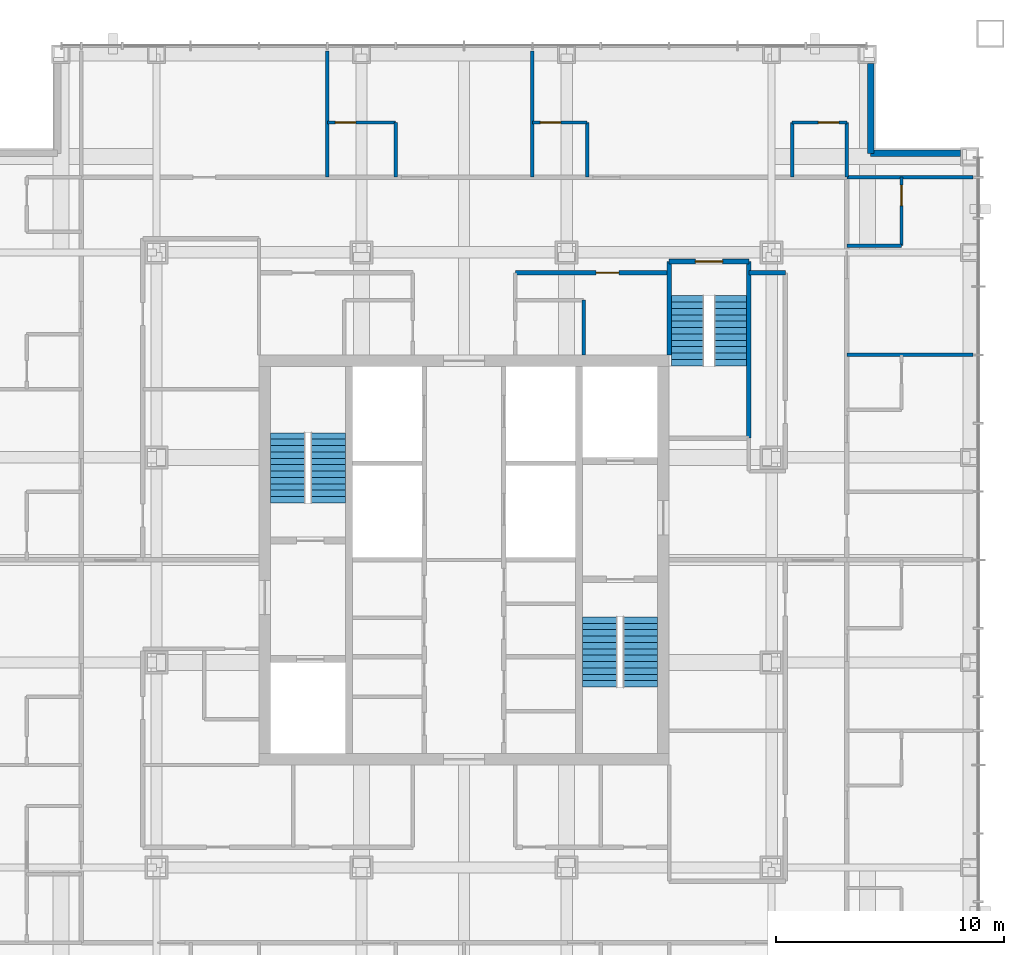
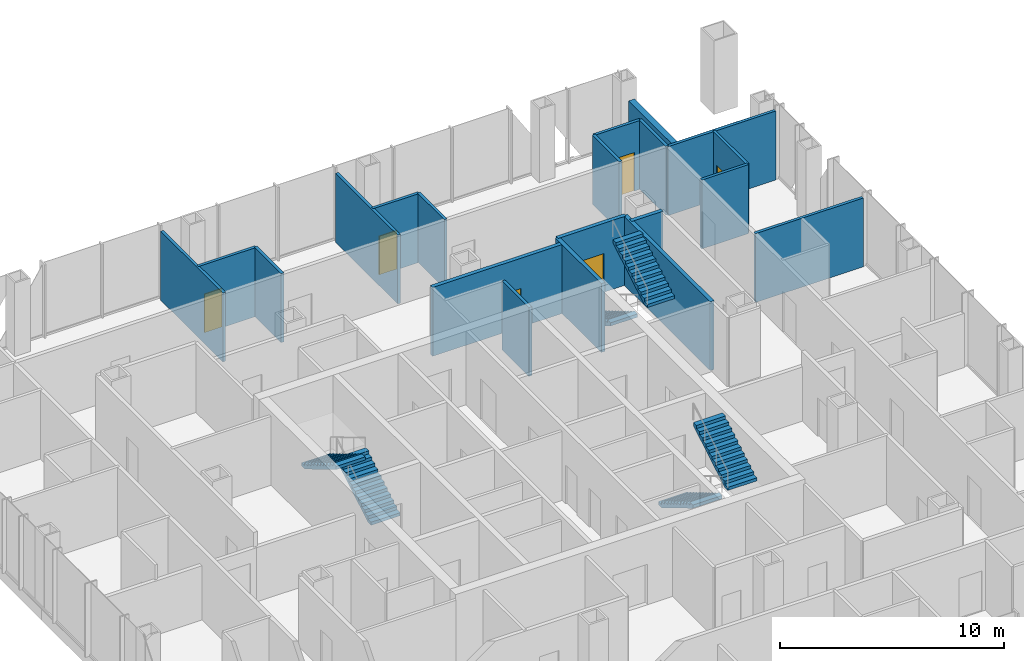
# One storey, part 11 of 12: 21 walls, 6 doors, 6 stair flights, 6 openings, 3 elements without a shape of their own.
"""IFC4 building model written with IfcOpenShell, lengths in metres."""

from ifc_helpers import new_model, si_unit, direction, frame, frame_2d, origin, place, context, subcontext, project, spatial, polyline, rectangle, outline, extrude, material, layer, layer_set, type_object, element, fill, aggregate, save


model = new_model("IFC4")

# Units and contexts
model_context = context("Model", 3, precision=1e-05, world=origin(), true_north=direction((0.0, 1.0)))
body_context = subcontext(model_context, "Body", "Model", "MODEL_VIEW")
ifc_project = project(units=[si_unit("LENGTHUNIT", "METRE"), si_unit("AREAUNIT", "SQUARE_METRE"), si_unit("VOLUMEUNIT", "CUBIC_METRE"), si_unit("PLANEANGLEUNIT", "RADIAN"), si_unit("MASSUNIT", "GRAM", prefix="KILO")], contexts=[model_context])

# Site, building, storey
site_placement = place(None, origin())
site = spatial("IfcSite", under=ifc_project, at=site_placement, CompositionType="ELEMENT")
building_placement = place(site_placement, origin())
building = spatial("IfcBuilding", under=site, at=building_placement, Name="Malebo Sky Hospital", CompositionType="ELEMENT")
storey_placement = place(building_placement, frame((0.0, 0.0, 221.0)))
storey = spatial("IfcBuildingStorey", under=building, at=storey_placement, Name="L53", CompositionType="ELEMENT", Elevation=221.0)

# Wall, opening, door
ifc_material_1 = material(Name="Gypsum board on steel studs", Category="steel")
ifc_layer_1 = layer(ifc_material_1, 0.199951171875)
ifc_layer_set_1 = layer_set([ifc_layer_1], Name="CORRIDOR WALL 200")
wall_type_1 = type_object("IfcWallType", Name="CORRIDOR WALL 200", PredefinedType="PARTITIONING", material=ifc_layer_set_1)
wall_1_placement = place(storey_placement, frame((62.25, 74.60009765625, 0.0), z_axis=(0.0, 0.0, 1.0), x_axis=(1.0, 0.0, 0.0)))
wall_1 = element("IfcWall", 1, at=wall_1_placement, inside=storey, type_object=wall_type_1, Name="Corridor Wall 200 NCI2", PredefinedType="PARTITIONING", context=body_context, shape_type="SweptSolid", body=[
    extrude(rectangle(XDim=6.75, YDim=0.199951171875, at=frame_2d((3.375, 0.0))), origin(), (0.0, 0.0, 1.0), 3.75),
])
opening_1_placement = place(wall_1_placement, frame((3.550048828125, 0.0, 0.0)))
opening_1 = element("IfcOpeningElement", 2, at=opening_1_placement, cuts=wall_1, Name="Opening D03", PredefinedType="OPENING", context=body_context, shape_type="SweptSolid", body=[
    extrude(rectangle(XDim=1.0, YDim=2.10009765625, at=frame_2d((0.5, 1.050048828125))), frame((0.0, 0.10986328125, 0.0), z_axis=(0.0, -1.0, 0.0), x_axis=(1.0, 0.0, 0.0)), (0.0, 0.0, 1.0), 0.219970703125),
])
ifc_material_2 = material(Name="Hardwood-faced door leaf in steel frame", Category="steel")
door_type_1 = type_object("IfcDoorType", Name="ROOM DOOR 1000", OperationType="SINGLE_SWING_LEFT", PredefinedType="DOOR", material=ifc_material_2)
door_1_placement = place(opening_1_placement, origin())
door_1 = element("IfcDoor", 3, at=door_1_placement, inside=storey, type_object=door_type_1, Name="Ward office door", OperationType="SINGLE_SWING_RIGHT", OverallHeight=2.10009765625, OverallWidth=1.0, PredefinedType="DOOR", context=body_context, shape_type="SweptSolid", body=[
    extrude(rectangle(XDim=1.0, YDim=2.10009765625, at=frame_2d((0.5, 1.050048828125))), frame((0.0, 0.02490234375, 0.0), z_axis=(0.0, -1.0, 0.0), x_axis=(1.0, 0.0, 0.0)), (0.0, 0.0, 1.0), 0.050048828125),
])
fill(opening_1, door_1)

# Walls
wall_2_placement = place(storey_placement, frame((72.5, 74.60009765625, 0.0), z_axis=(0.0, 0.0, 1.0), x_axis=(1.0, 0.0, 0.0)))
element("IfcWall", 4, at=wall_2_placement, inside=storey, type_object=wall_type_1, Name="Corridor Wall 200 NCI2/2", PredefinedType="PARTITIONING", context=body_context, shape_type="SweptSolid", body=[
    extrude(rectangle(XDim=1.60009765625, YDim=0.199951171875, at=frame_2d((0.800048828125, 0.0))), origin(), (0.0, 0.0, 1.0), 3.75),
])
ifc_material_3 = material(Name="Anodised aluminium rainscreen on steel framing", Category="steel")
ifc_layer_2 = layer(ifc_material_3, 0.300048828125)
ifc_layer_set_2 = layer_set([ifc_layer_2], Name="NOTCH RAINSCREEN WALL 300")
wall_type_2 = type_object("IfcWallType", Name="NOTCH RAINSCREEN WALL 300", PredefinedType="ELEMENTEDWALL", material=ifc_layer_set_2)
for number, where, z_axis, x_axis, name in (
    (5, (77.85009765625, 83.800048828125, 0.0), (0.0, 0.0, 1.0), (0.0, -1.0, 0.0), "Notch rainscreen wall N1 L53"),
    (6, (77.85009765625, 79.85009765625, 0.0), (0.0, 0.0, 1.0), (1.0, 0.0, 0.0), "Notch rainscreen wall N2 L53"),
):
    element("IfcWall", number, at=place(storey_placement, frame(where, z_axis=z_axis, x_axis=x_axis)), inside=storey, type_object=wall_type_2, Name=name, PredefinedType="ELEMENTEDWALL", context=body_context, shape_type="SweptSolid", body=[
        extrude(rectangle(XDim=3.949951171875, YDim=0.300048828125, at=frame_2d((1.97509765625, 0.0))), origin(), (0.0, 0.0, 1.0), 2.85009765625),
    ])
ifc_layer_3 = layer(ifc_material_1, 0.14990234375)
ifc_layer_set_3 = layer_set([ifc_layer_3], Name="PARTITION 150")
wall_type_3 = type_object("IfcWallType", Name="PARTITION 150", PredefinedType="PARTITIONING", material=ifc_layer_set_3)
for number, where, z_axis, x_axis, name in (
    (7, (54.0, 78.800048828125, 0.0), (0.0, 0.0, 1.0), (0.0, 1.0, 0.0), "Partition 150 NP-6.0"),
    (8, (63.0, 78.800048828125, 0.0), (0.0, 0.0, 1.0), (0.0, 1.0, 0.0), "Partition 150 NP+3.0"),
):
    element("IfcWall", number, at=place(storey_placement, frame(where, z_axis=z_axis, x_axis=x_axis)), inside=storey, type_object=wall_type_3, Name=name, PredefinedType="PARTITIONING", context=body_context, shape_type="SweptSolid", body=[
        extrude(rectangle(XDim=5.550048828125, YDim=0.14990234375, at=frame_2d((2.77490234375, 0.0))), origin(), (0.0, 0.0, 1.0), 3.75),
    ])

# Wall, opening, door
wall_3_placement = place(storey_placement, frame((54.0, 81.199951171875, 0.0), z_axis=(0.0, 0.0, 1.0), x_axis=(1.0, 0.0, 0.0)))
wall_3 = element("IfcWall", 9, at=wall_3_placement, inside=storey, type_object=wall_type_3, Name="Partition 150 NE1F", PredefinedType="PARTITIONING", context=body_context, shape_type="SweptSolid", body=[
    extrude(rectangle(XDim=3.0, YDim=0.14990234375, at=frame_2d((1.5, 0.0))), origin(), (0.0, 0.0, 1.0), 3.75),
])
opening_2_placement = place(wall_3_placement, frame((0.35009765625, 0.0, 0.0)))
opening_2 = element("IfcOpeningElement", 10, at=opening_2_placement, cuts=wall_3, Name="Opening D02", PredefinedType="OPENING", context=body_context, shape_type="SweptSolid", body=[
    extrude(rectangle(XDim=0.89990234375, YDim=2.10009765625, at=frame_2d((0.449951171875, 1.050048828125))), frame((0.0, 0.0849609375, 0.0), z_axis=(0.0, -1.0, 0.0), x_axis=(1.0, 0.0, 0.0)), (0.0, 0.0, 1.0), 0.169921875),
])
door_type_2 = type_object("IfcDoorType", Name="EN-SUITE DOOR 900", OperationType="SINGLE_SWING_LEFT", PredefinedType="DOOR", material=ifc_material_2)
door_2_placement = place(opening_2_placement, origin())
door_2 = element("IfcDoor", 11, at=door_2_placement, inside=storey, type_object=door_type_2, Name="En-suite door", OperationType="SINGLE_SWING_LEFT", OverallHeight=2.10009765625, OverallWidth=0.89990234375, PredefinedType="DOOR", context=body_context, shape_type="SweptSolid", body=[
    extrude(rectangle(XDim=0.89990234375, YDim=2.10009765625, at=frame_2d((0.449951171875, 1.050048828125))), frame((0.0, 0.02490234375, 0.0), z_axis=(0.0, -1.0, 0.0), x_axis=(1.0, 0.0, 0.0)), (0.0, 0.0, 1.0), 0.050048828125),
])
fill(opening_2, door_2)

# Wall
wall_4_placement = place(storey_placement, frame((57.0, 78.800048828125, 0.0), z_axis=(0.0, 0.0, 1.0), x_axis=(0.0, 1.0, 0.0)))
element("IfcWall", 12, at=wall_4_placement, inside=storey, type_object=wall_type_3, Name="Partition 150 NE1S", PredefinedType="PARTITIONING", context=body_context, shape_type="SweptSolid", body=[
    extrude(rectangle(XDim=2.39990234375, YDim=0.14990234375, at=frame_2d((1.199951171875, 0.0))), origin(), (0.0, 0.0, 1.0), 3.75),
])

# Wall, opening, door
wall_5_placement = place(storey_placement, frame((63.0, 81.199951171875, 0.0), z_axis=(0.0, 0.0, 1.0), x_axis=(1.0, 0.0, 0.0)))
wall_5 = element("IfcWall", 13, at=wall_5_placement, inside=storey, type_object=wall_type_3, Name="Partition 150 NE2F", PredefinedType="PARTITIONING", context=body_context, shape_type="SweptSolid", body=[
    extrude(rectangle(XDim=2.39990234375, YDim=0.14990234375, at=frame_2d((1.199951171875, 0.0))), origin(), (0.0, 0.0, 1.0), 3.75),
])
opening_3_placement = place(wall_5_placement, frame((0.35009765625, 0.0, 0.0)))
opening_3 = element("IfcOpeningElement", 14, at=opening_3_placement, cuts=wall_5, Name="Opening D02", PredefinedType="OPENING", context=body_context, shape_type="SweptSolid", body=[
    extrude(rectangle(XDim=0.89990234375, YDim=2.10009765625, at=frame_2d((0.449951171875, 1.050048828125))), frame((0.0, 0.0849609375, 0.0), z_axis=(0.0, -1.0, 0.0), x_axis=(1.0, 0.0, 0.0)), (0.0, 0.0, 1.0), 0.169921875),
])
door_3_placement = place(opening_3_placement, origin())
door_3 = element("IfcDoor", 15, at=door_3_placement, inside=storey, type_object=door_type_2, Name="En-suite door", OperationType="SINGLE_SWING_LEFT", OverallHeight=2.10009765625, OverallWidth=0.89990234375, PredefinedType="DOOR", context=body_context, shape_type="SweptSolid", body=[
    extrude(rectangle(XDim=0.89990234375, YDim=2.10009765625, at=frame_2d((0.449951171875, 1.050048828125))), frame((0.0, 0.02490234375, 0.0), z_axis=(0.0, -1.0, 0.0), x_axis=(1.0, 0.0, 0.0)), (0.0, 0.0, 1.0), 0.050048828125),
])
fill(opening_3, door_3)

# Wall
wall_6_placement = place(storey_placement, frame((65.39990234375, 78.800048828125, 0.0), z_axis=(0.0, 0.0, 1.0), x_axis=(0.0, 1.0, 0.0)))
element("IfcWall", 16, at=wall_6_placement, inside=storey, type_object=wall_type_3, Name="Partition 150 NE2S", PredefinedType="PARTITIONING", context=body_context, shape_type="SweptSolid", body=[
    extrude(rectangle(XDim=2.39990234375, YDim=0.14990234375, at=frame_2d((1.199951171875, 0.0))), origin(), (0.0, 0.0, 1.0), 3.75),
])

# Wall, opening, door
wall_7_placement = place(storey_placement, frame((74.39990234375, 81.199951171875, 0.0), z_axis=(0.0, 0.0, 1.0), x_axis=(1.0, 0.0, 0.0)))
wall_7 = element("IfcWall", 17, at=wall_7_placement, inside=storey, type_object=wall_type_3, Name="Partition 150 NG2F", PredefinedType="PARTITIONING", context=body_context, shape_type="SweptSolid", body=[
    extrude(rectangle(XDim=2.400146484375, YDim=0.14990234375, at=frame_2d((1.2001953125, 0.0))), origin(), (0.0, 0.0, 1.0), 3.75),
])
opening_4_placement = place(wall_7_placement, frame((1.14990234375, 0.0, 0.0)))
opening_4 = element("IfcOpeningElement", 18, at=opening_4_placement, cuts=wall_7, Name="Opening D02", PredefinedType="OPENING", context=body_context, shape_type="SweptSolid", body=[
    extrude(rectangle(XDim=0.89990234375, YDim=2.10009765625, at=frame_2d((0.449951171875, 1.050048828125))), frame((0.0, 0.0849609375, 0.0), z_axis=(0.0, -1.0, 0.0), x_axis=(1.0, 0.0, 0.0)), (0.0, 0.0, 1.0), 0.169921875),
])
door_4_placement = place(opening_4_placement, origin())
door_4 = element("IfcDoor", 19, at=door_4_placement, inside=storey, type_object=door_type_2, Name="En-suite door", OperationType="SINGLE_SWING_RIGHT", OverallHeight=2.10009765625, OverallWidth=0.89990234375, PredefinedType="DOOR", context=body_context, shape_type="SweptSolid", body=[
    extrude(rectangle(XDim=0.89990234375, YDim=2.10009765625, at=frame_2d((0.449951171875, 1.050048828125))), frame((0.0, 0.02490234375, 0.0), z_axis=(0.0, -1.0, 0.0), x_axis=(1.0, 0.0, 0.0)), (0.0, 0.0, 1.0), 0.050048828125),
])
fill(opening_4, door_4)

# Walls
for number, where, z_axis, x_axis, name in (
    (20, (74.39990234375, 78.800048828125, 0.0), (0.0, 0.0, 1.0), (0.0, 1.0, 0.0), "Partition 150 NG2S"),
    (21, (76.800048828125, 78.800048828125, 0.0), (0.0, 0.0, 1.0), (0.0, 1.0, 0.0), "Partition 150 NEZ"),
    (22, (65.25, 71.0, 0.0), (0.0, 0.0, 1.0), (0.0, 1.0, 0.0), "Partition 150 NSY1"),
):
    element("IfcWall", number, at=place(storey_placement, frame(where, z_axis=z_axis, x_axis=x_axis)), inside=storey, type_object=wall_type_3, Name=name, PredefinedType="PARTITIONING", context=body_context, shape_type="SweptSolid", body=[
        extrude(rectangle(XDim=2.39990234375, YDim=0.14990234375, at=frame_2d((1.199951171875, 0.0))), origin(), (0.0, 0.0, 1.0), 3.75),
    ])
for number, where, z_axis, x_axis, name in (
    (23, (76.800048828125, 71.0, 0.0), (0.0, 0.0, 1.0), (1.0, 0.0, 0.0), "Partition 150 EP-9.0"),
    (24, (76.800048828125, 78.800048828125, 0.0), (0.0, 0.0, 1.0), (1.0, 0.0, 0.0), "Partition 150 EP0"),
):
    element("IfcWall", number, at=place(storey_placement, frame(where, z_axis=z_axis, x_axis=x_axis)), inside=storey, type_object=wall_type_3, Name=name, PredefinedType="PARTITIONING", context=body_context, shape_type="SweptSolid", body=[
        extrude(rectangle(XDim=5.550048828125, YDim=0.14990234375, at=frame_2d((2.77490234375, 0.0))), origin(), (0.0, 0.0, 1.0), 3.75),
    ])

# Wall, opening, door
wall_8_placement = place(storey_placement, frame((79.199951171875, 78.800048828125, 0.0), z_axis=(0.0, 0.0, 1.0), x_axis=(0.0, -1.0, 0.0)))
wall_8 = element("IfcWall", 25, at=wall_8_placement, inside=storey, type_object=wall_type_3, Name="Partition 150 EE0F", PredefinedType="PARTITIONING", context=body_context, shape_type="SweptSolid", body=[
    extrude(rectangle(XDim=3.0, YDim=0.14990234375, at=frame_2d((1.5, 0.0))), origin(), (0.0, 0.0, 1.0), 3.75),
])
opening_5_placement = place(wall_8_placement, frame((0.35009765625, 0.0, 0.0)))
opening_5 = element("IfcOpeningElement", 26, at=opening_5_placement, cuts=wall_8, Name="Opening D02", PredefinedType="OPENING", context=body_context, shape_type="SweptSolid", body=[
    extrude(rectangle(XDim=0.89990234375, YDim=2.10009765625, at=frame_2d((0.449951171875, 1.050048828125))), frame((0.0, 0.0849609375, 0.0), z_axis=(0.0, -1.0, 0.0), x_axis=(1.0, 0.0, 0.0)), (0.0, 0.0, 1.0), 0.169921875),
])
door_5_placement = place(opening_5_placement, origin())
door_5 = element("IfcDoor", 27, at=door_5_placement, inside=storey, type_object=door_type_2, Name="En-suite door", OperationType="SINGLE_SWING_LEFT", OverallHeight=2.10009765625, OverallWidth=0.89990234375, PredefinedType="DOOR", context=body_context, shape_type="SweptSolid", body=[
    extrude(rectangle(XDim=0.89990234375, YDim=2.10009765625, at=frame_2d((0.449951171875, 1.050048828125))), frame((0.0, 0.02490234375, 0.0), z_axis=(0.0, -1.0, 0.0), x_axis=(1.0, 0.0, 0.0)), (0.0, 0.0, 1.0), 0.050048828125),
])
fill(opening_5, door_5)

# Walls
wall_9_placement = place(storey_placement, frame((76.800048828125, 75.800048828125, 0.0), z_axis=(0.0, 0.0, 1.0), x_axis=(1.0, 0.0, 0.0)))
element("IfcWall", 28, at=wall_9_placement, inside=storey, type_object=wall_type_3, Name="Partition 150 EE0S", PredefinedType="PARTITIONING", context=body_context, shape_type="SweptSolid", body=[
    extrude(rectangle(XDim=2.39990234375, YDim=0.14990234375, at=frame_2d((1.199951171875, 0.0))), origin(), (0.0, 0.0, 1.0), 3.75),
])
ifc_material_4 = material(Name="Concrete C40/50", Category="concrete")
ifc_layer_4 = layer(ifc_material_4, 0.199951171875)
ifc_layer_set_4 = layer_set([ifc_layer_4], Name="STAIR ENCLOSURE WALL 200")
wall_type_4 = type_object("IfcWallType", Name="STAIR ENCLOSURE WALL 200", PredefinedType="SOLIDWALL", material=ifc_layer_set_4)
wall_10_placement = place(storey_placement, frame((69.0, 71.0, 0.0), z_axis=(0.0, 0.0, 1.0), x_axis=(0.0, 1.0, 0.0)))
element("IfcWall", 29, at=wall_10_placement, inside=storey, type_object=wall_type_4, Name="Stair Enclosure Wall 200 ST3W", PredefinedType="SOLIDWALL", context=body_context, shape_type="SweptSolid", body=[
    extrude(rectangle(XDim=4.10009765625, YDim=0.199951171875, at=frame_2d((2.050048828125, 0.0))), origin(), (0.0, 0.0, 1.0), 3.75),
])
wall_11_placement = place(storey_placement, frame((72.5, 67.35009765625, 0.0), z_axis=(0.0, 0.0, 1.0), x_axis=(0.0, 1.0, 0.0)))
element("IfcWall", 30, at=wall_11_placement, inside=storey, type_object=wall_type_4, Name="Stair Enclosure Wall 200 ST3E", PredefinedType="SOLIDWALL", context=body_context, shape_type="SweptSolid", body=[
    extrude(rectangle(XDim=7.75, YDim=0.199951171875, at=frame_2d((3.875, 0.0))), origin(), (0.0, 0.0, 1.0), 3.75),
])

# Wall, opening, door
wall_12_placement = place(storey_placement, frame((69.0, 75.10009765625, 0.0), z_axis=(0.0, 0.0, 1.0), x_axis=(1.0, 0.0, 0.0)))
wall_12 = element("IfcWall", 31, at=wall_12_placement, inside=storey, type_object=wall_type_4, Name="Stair Enclosure Wall 200 ST3N", PredefinedType="SOLIDWALL", context=body_context, shape_type="SweptSolid", body=[
    extrude(rectangle(XDim=3.5, YDim=0.199951171875, at=frame_2d((1.75, 0.0))), origin(), (0.0, 0.0, 1.0), 3.75),
])
opening_6_placement = place(wall_12_placement, frame((1.14990234375, 0.0, 0.0)))
opening_6 = element("IfcOpeningElement", 32, at=opening_6_placement, cuts=wall_12, Name="Opening D08", PredefinedType="OPENING", context=body_context, shape_type="SweptSolid", body=[
    extrude(rectangle(XDim=1.199951171875, YDim=2.10009765625, at=frame_2d((0.60009765625, 1.050048828125))), frame((0.0, 0.10986328125, 0.0), z_axis=(0.0, -1.0, 0.0), x_axis=(1.0, 0.0, 0.0)), (0.0, 0.0, 1.0), 0.219970703125),
])
door_type_3 = type_object("IfcDoorType", Name="STAIR DOOR 1200", OperationType="SINGLE_SWING_LEFT", PredefinedType="DOOR", material=ifc_material_2)
door_6_placement = place(opening_6_placement, origin())
door_6 = element("IfcDoor", 33, at=door_6_placement, inside=storey, type_object=door_type_3, Name="Stair S3 door", OperationType="SINGLE_SWING_LEFT", OverallHeight=2.10009765625, OverallWidth=1.199951171875, PredefinedType="DOOR", context=body_context, shape_type="SweptSolid", body=[
    extrude(rectangle(XDim=1.199951171875, YDim=2.10009765625, at=frame_2d((0.60009765625, 1.050048828125))), frame((0.0, 0.02490234375, 0.0), z_axis=(0.0, -1.0, 0.0), x_axis=(1.0, 0.0, 0.0)), (0.0, 0.0, 1.0), 0.050048828125),
])
fill(opening_6, door_6)

# Stair, stair flights
stair_type_1 = type_object("IfcStairType", Name="HALF-TURN STAIR 1400 R167", PredefinedType="HALF_TURN_STAIR", material=ifc_material_4)
stair_1_placement = place(storey_placement, origin())
stair_1 = element("IfcStair", 34, at=stair_1_placement, inside=storey, type_object=stair_type_1, Name="Stair S3 L53 type ST1B", PredefinedType="HALF_TURN_STAIR")
stair_flight_type_1 = type_object("IfcStairFlightType", Name="STAIR FLIGHT 1400 R167", PredefinedType="STRAIGHT", material=ifc_material_4)
stair_flight_1_placement = place(storey_placement, frame((69.800048828125, 73.60009765625, 0.0), z_axis=(0.0, 0.0, 1.0), x_axis=(0.0, -1.0, 0.0)))
stair_flight_1 = element("IfcStairFlight", 35, at=stair_flight_1_placement, type_object=stair_flight_type_1, Name="S3 flight 1 type SF1B", NumberOfRisers=12, NumberOfTreads=11, PredefinedType="STRAIGHT", RiserHeight=0.166666667, TreadLength=0.28, context=body_context, shape_type="SweptSolid", body=[
    extrude(outline(polyline([(0.0, 0.0), (0.0, 0.166748046875), (0.280029296875, 0.166748046875), (0.280029296875, 0.333251953125), (0.56005859375, 0.333251953125), (0.56005859375, 0.5), (0.840087890625, 0.5), (0.840087890625, 0.666748046875), (1.1201171875, 0.666748046875), (1.1201171875, 0.833251953125), (1.39990234375, 0.833251953125), (1.39990234375, 1.0), (1.679931640625, 1.0), (1.679931640625, 1.166748046875), (1.9599609375, 1.166748046875), (1.9599609375, 1.333251953125), (2.239990234375, 1.333251953125), (2.239990234375, 1.5), (2.52001953125, 1.5), (2.52001953125, 1.666748046875), (2.800048828125, 1.666748046875), (2.800048828125, 1.833251953125), (3.080078125, 1.833251953125), (3.080078125, 2.0), (3.080078125, 1.658935546875), (0.29296875, 0.0), (0.0, 0.0)])), frame((0.0, 0.699951171875, 0.0), z_axis=(0.0, -1.0, 0.0), x_axis=(1.0, 0.0, 0.0)), (0.0, 0.0, 1.0), 1.39990234375),
])
stair_flight_2_placement = place(storey_placement, frame((71.699951171875, 70.52001953125, 2.0), z_axis=(0.0, 0.0, 1.0), x_axis=(0.0, 1.0, 0.0)))
stair_flight_2 = element("IfcStairFlight", 36, at=stair_flight_2_placement, type_object=stair_flight_type_1, Name="S3 flight 2 type SF1B", NumberOfRisers=12, NumberOfTreads=11, PredefinedType="STRAIGHT", RiserHeight=0.166666667, TreadLength=0.28, context=body_context, shape_type="SweptSolid", body=[
    extrude(outline(polyline([(0.0, 0.0), (0.0, 0.166748046875), (0.280029296875, 0.166748046875), (0.280029296875, 0.333251953125), (0.56005859375, 0.333251953125), (0.56005859375, 0.5), (0.840087890625, 0.5), (0.840087890625, 0.666748046875), (1.1201171875, 0.666748046875), (1.1201171875, 0.833251953125), (1.39990234375, 0.833251953125), (1.39990234375, 1.0), (1.679931640625, 1.0), (1.679931640625, 1.166748046875), (1.9599609375, 1.166748046875), (1.9599609375, 1.333251953125), (2.239990234375, 1.333251953125), (2.239990234375, 1.5), (2.52001953125, 1.5), (2.52001953125, 1.666748046875), (2.800048828125, 1.666748046875), (2.800048828125, 1.833251953125), (3.080078125, 1.833251953125), (3.080078125, 2.0), (3.080078125, 1.658935546875), (0.29296875, 0.0), (0.0, 0.0)])), frame((0.0, 0.699951171875, 0.0), z_axis=(0.0, -1.0, 0.0), x_axis=(1.0, 0.0, 0.0)), (0.0, 0.0, 1.0), 1.39990234375),
])
aggregate(stair_1, [stair_flight_1, stair_flight_2])

stair_type_2 = type_object("IfcStairType", Name="HALF-TURN STAIR 1500 R167", PredefinedType="HALF_TURN_STAIR", material=ifc_material_4)
stair_2_placement = place(storey_placement, origin())
stair_2 = element("IfcStair", 37, at=stair_2_placement, inside=storey, type_object=stair_type_2, Name="Stair S1 L53 type ST1", PredefinedType="HALF_TURN_STAIR")
stair_flight_type_2 = type_object("IfcStairFlightType", Name="STAIR FLIGHT 1500 R167", PredefinedType="STRAIGHT", material=ifc_material_4)
stair_flight_3_placement = place(storey_placement, frame((54.050048828125, 64.5, 0.0), z_axis=(0.0, 0.0, 1.0), x_axis=(0.0, 1.0, 0.0)))
stair_flight_3 = element("IfcStairFlight", 38, at=stair_flight_3_placement, type_object=stair_flight_type_2, Name="S1 flight 1 type SF1", NumberOfRisers=12, NumberOfTreads=11, PredefinedType="STRAIGHT", RiserHeight=0.166666667, TreadLength=0.28, context=body_context, shape_type="SweptSolid", body=[
    extrude(outline(polyline([(0.0, 0.0), (0.0, 0.166748046875), (0.280029296875, 0.166748046875), (0.280029296875, 0.333251953125), (0.56005859375, 0.333251953125), (0.56005859375, 0.5), (0.840087890625, 0.5), (0.840087890625, 0.666748046875), (1.1201171875, 0.666748046875), (1.1201171875, 0.833251953125), (1.39990234375, 0.833251953125), (1.39990234375, 1.0), (1.679931640625, 1.0), (1.679931640625, 1.166748046875), (1.9599609375, 1.166748046875), (1.9599609375, 1.333251953125), (2.239990234375, 1.333251953125), (2.239990234375, 1.5), (2.52001953125, 1.5), (2.52001953125, 1.666748046875), (2.800048828125, 1.666748046875), (2.800048828125, 1.833251953125), (3.080078125, 1.833251953125), (3.080078125, 2.0), (3.080078125, 1.658935546875), (0.29296875, 0.0), (0.0, 0.0)])), frame((0.0, 0.75, 0.0), z_axis=(0.0, -1.0, 0.0), x_axis=(1.0, 0.0, 0.0)), (0.0, 0.0, 1.0), 1.5),
])
stair_flight_4_placement = place(storey_placement, frame((52.25, 67.580078125, 2.0), z_axis=(0.0, 0.0, 1.0), x_axis=(0.0, -1.0, 0.0)))
stair_flight_4 = element("IfcStairFlight", 39, at=stair_flight_4_placement, type_object=stair_flight_type_2, Name="S1 flight 2 type SF1", NumberOfRisers=12, NumberOfTreads=11, PredefinedType="STRAIGHT", RiserHeight=0.166666667, TreadLength=0.28, context=body_context, shape_type="SweptSolid", body=[
    extrude(outline(polyline([(0.0, 0.0), (0.0, 0.166748046875), (0.280029296875, 0.166748046875), (0.280029296875, 0.333251953125), (0.56005859375, 0.333251953125), (0.56005859375, 0.5), (0.840087890625, 0.5), (0.840087890625, 0.666748046875), (1.1201171875, 0.666748046875), (1.1201171875, 0.833251953125), (1.39990234375, 0.833251953125), (1.39990234375, 1.0), (1.679931640625, 1.0), (1.679931640625, 1.166748046875), (1.9599609375, 1.166748046875), (1.9599609375, 1.333251953125), (2.239990234375, 1.333251953125), (2.239990234375, 1.5), (2.52001953125, 1.5), (2.52001953125, 1.666748046875), (2.800048828125, 1.666748046875), (2.800048828125, 1.833251953125), (3.080078125, 1.833251953125), (3.080078125, 2.0), (3.080078125, 1.658935546875), (0.29296875, 0.0), (0.0, 0.0)])), frame((0.0, 0.75, 0.0), z_axis=(0.0, -1.0, 0.0), x_axis=(1.0, 0.0, 0.0)), (0.0, 0.0, 1.0), 1.5),
])
aggregate(stair_2, [stair_flight_3, stair_flight_4])

stair_3_placement = place(storey_placement, origin())
stair_3 = element("IfcStair", 40, at=stair_3_placement, inside=storey, type_object=stair_type_2, Name="Stair S2 L53 type ST1", PredefinedType="HALF_TURN_STAIR")
stair_flight_5_placement = place(storey_placement, frame((65.949951171875, 59.5, 0.0), z_axis=(0.0, 0.0, 1.0), x_axis=(0.0, -1.0, 0.0)))
stair_flight_5 = element("IfcStairFlight", 41, at=stair_flight_5_placement, type_object=stair_flight_type_2, Name="S2 flight 1 type SF1", NumberOfRisers=12, NumberOfTreads=11, PredefinedType="STRAIGHT", RiserHeight=0.166666667, TreadLength=0.28, context=body_context, shape_type="SweptSolid", body=[
    extrude(outline(polyline([(0.0, 0.0), (0.0, 0.166748046875), (0.280029296875, 0.166748046875), (0.280029296875, 0.333251953125), (0.56005859375, 0.333251953125), (0.56005859375, 0.5), (0.840087890625, 0.5), (0.840087890625, 0.666748046875), (1.1201171875, 0.666748046875), (1.1201171875, 0.833251953125), (1.39990234375, 0.833251953125), (1.39990234375, 1.0), (1.679931640625, 1.0), (1.679931640625, 1.166748046875), (1.9599609375, 1.166748046875), (1.9599609375, 1.333251953125), (2.239990234375, 1.333251953125), (2.239990234375, 1.5), (2.52001953125, 1.5), (2.52001953125, 1.666748046875), (2.800048828125, 1.666748046875), (2.800048828125, 1.833251953125), (3.080078125, 1.833251953125), (3.080078125, 2.0), (3.080078125, 1.658935546875), (0.29296875, 0.0), (0.0, 0.0)])), frame((0.0, 0.75, 0.0), z_axis=(0.0, -1.0, 0.0), x_axis=(1.0, 0.0, 0.0)), (0.0, 0.0, 1.0), 1.5),
])
stair_flight_6_placement = place(storey_placement, frame((67.75, 56.419921875, 2.0), z_axis=(0.0, 0.0, 1.0), x_axis=(0.0, 1.0, 0.0)))
stair_flight_6 = element("IfcStairFlight", 42, at=stair_flight_6_placement, type_object=stair_flight_type_2, Name="S2 flight 2 type SF1", NumberOfRisers=12, NumberOfTreads=11, PredefinedType="STRAIGHT", RiserHeight=0.166666667, TreadLength=0.28, context=body_context, shape_type="SweptSolid", body=[
    extrude(outline(polyline([(0.0, 0.0), (0.0, 0.166748046875), (0.280029296875, 0.166748046875), (0.280029296875, 0.333251953125), (0.56005859375, 0.333251953125), (0.56005859375, 0.5), (0.840087890625, 0.5), (0.840087890625, 0.666748046875), (1.1201171875, 0.666748046875), (1.1201171875, 0.833251953125), (1.39990234375, 0.833251953125), (1.39990234375, 1.0), (1.679931640625, 1.0), (1.679931640625, 1.166748046875), (1.9599609375, 1.166748046875), (1.9599609375, 1.333251953125), (2.239990234375, 1.333251953125), (2.239990234375, 1.5), (2.52001953125, 1.5), (2.52001953125, 1.666748046875), (2.800048828125, 1.666748046875), (2.800048828125, 1.833251953125), (3.080078125, 1.833251953125), (3.080078125, 2.0), (3.080078125, 1.658935546875), (0.29296875, 0.0), (0.0, 0.0)])), frame((0.0, 0.75, 0.0), z_axis=(0.0, -1.0, 0.0), x_axis=(1.0, 0.0, 0.0)), (0.0, 0.0, 1.0), 1.5),
])
aggregate(stair_3, [stair_flight_5, stair_flight_6])

save(model, "model.ifc")
